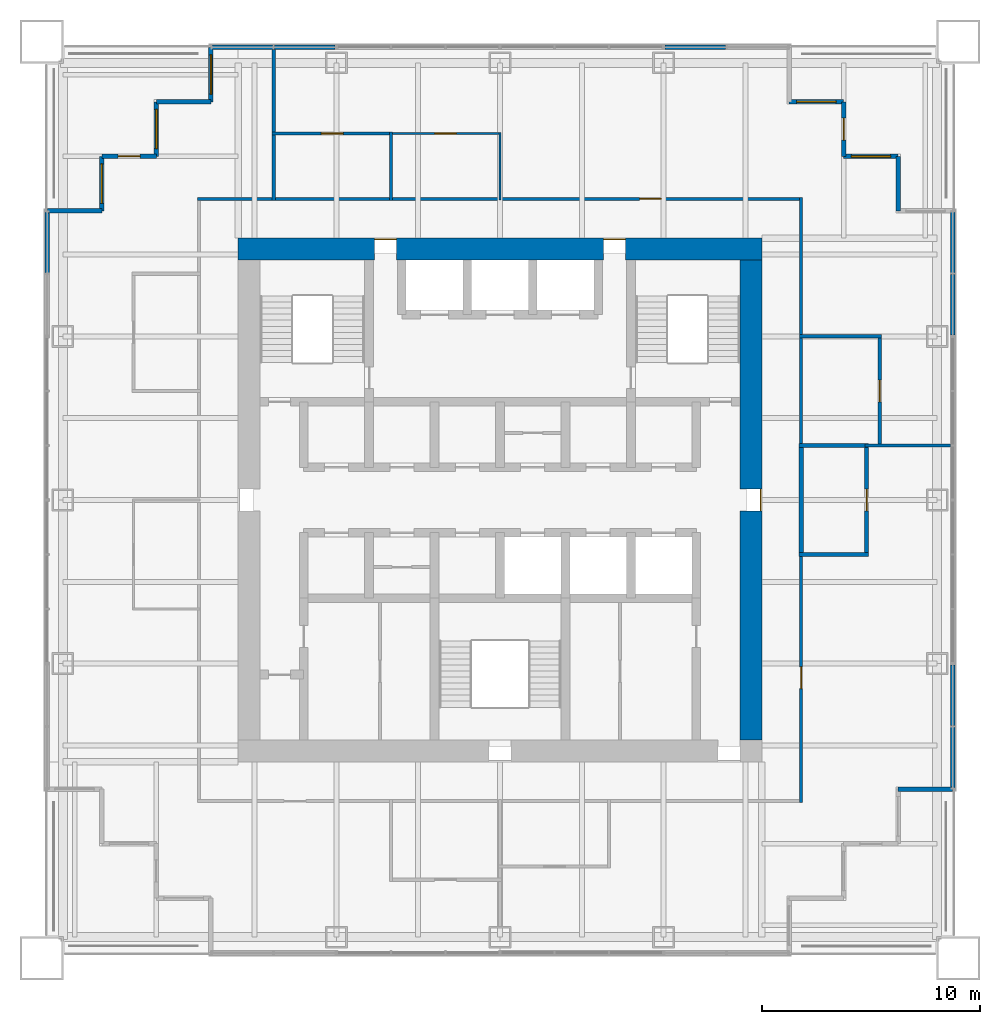
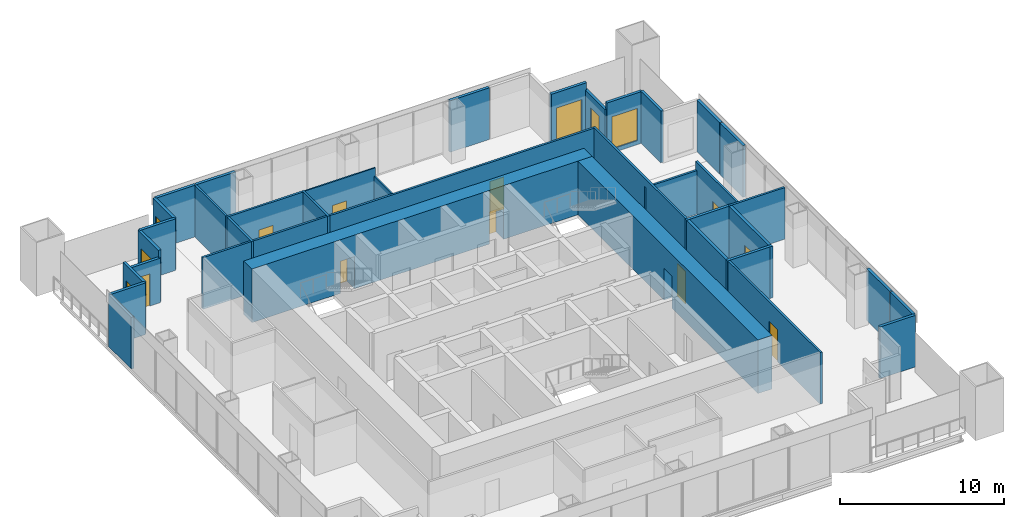
# One storey, part 11 of 14: 36 walls, 11 doors, 5 windows, 16 openings.
"""IFC4 building model written with IfcOpenShell, lengths in metres."""

from ifc_helpers import new_model, si_unit, direction, frame, frame_2d, origin, place, context, subcontext, project, spatial, rectangle, extrude, material, layer, layer_set, type_object, element, fill, save


model = new_model("IFC4")

# Units and contexts
model_context = context("Model", 3, precision=1e-05, world=origin(), true_north=direction((0.0, 1.0)))
body_context = subcontext(model_context, "Body", "Model", "MODEL_VIEW")
ifc_project = project(units=[si_unit("LENGTHUNIT", "METRE"), si_unit("AREAUNIT", "SQUARE_METRE"), si_unit("VOLUMEUNIT", "CUBIC_METRE"), si_unit("PLANEANGLEUNIT", "RADIAN"), si_unit("MASSUNIT", "GRAM", prefix="KILO")], contexts=[model_context])

# Site, building, storey
site_placement = place(None, origin())
site = spatial("IfcSite", under=ifc_project, at=site_placement, CompositionType="ELEMENT")
building_placement = place(site_placement, origin())
building = spatial("IfcBuilding", under=site, at=building_placement, Name="Tarangal Relay Tower", CompositionType="ELEMENT")
storey_placement = place(building_placement, frame((0.0, 0.0, 267.89990234375)))
storey = spatial("IfcBuildingStorey", under=building, at=storey_placement, Name="L58", CompositionType="ELEMENT", Elevation=267.89990234375)

# Walls
ifc_material_1 = material(Name="Two layers gypsum board each side on twin steel studs, mineral wool", Category="steel")
ifc_layer_1 = layer(ifc_material_1, 0.199951171875)
ifc_layer_set_1 = layer_set([ifc_layer_1], Name="Acoustic partition 200")
wall_type_1 = type_object("IfcWallType", Name="Acoustic partition 200", PredefinedType="PARTITIONING", material=ifc_layer_set_1)
for number, where, z_axis, x_axis, name in (
    (1, (13.699951171875, -2.5, 0.0), (0.0, 0.0, 1.0), (1.0, 0.0, 0.0), "Partition PT2 L58"),
    (2, (13.699951171875, 2.5, 0.0), (0.0, 0.0, 1.0), (1.0, 0.0, 0.0), "Partition PT2 L58"),
):
    element("IfcWall", number, at=place(storey_placement, frame(where, z_axis=z_axis, x_axis=x_axis)), inside=storey, type_object=wall_type_1, Name=name, PredefinedType="PARTITIONING", context=body_context, shape_type="SweptSolid", body=[
        extrude(rectangle(XDim=3.199951171875, YDim=0.199951171875, at=frame_2d((1.60009765625, 0.0))), origin(), (0.0, 0.0, 1.0), 3.85009765625),
    ])
wall_1_placement = place(storey_placement, frame((13.800048828125, -2.60009765625, 0.0), z_axis=(0.0, 0.0, 1.0), x_axis=(0.0, 1.0, 0.0)))
element("IfcWall", 3, at=wall_1_placement, inside=storey, type_object=wall_type_1, Name="Partition PT2 L58", PredefinedType="PARTITIONING", context=body_context, shape_type="SweptSolid", body=[
    extrude(rectangle(XDim=5.2001953125, YDim=0.199951171875, at=frame_2d((2.60009765625, 0.0))), origin(), (0.0, 0.0, 1.0), 3.85009765625),
])

# Wall, opening, door
wall_2_placement = place(storey_placement, frame((16.800048828125, -2.60009765625, 0.0), z_axis=(0.0, 0.0, 1.0), x_axis=(0.0, 1.0, 0.0)))
wall_2 = element("IfcWall", 4, at=wall_2_placement, inside=storey, type_object=wall_type_1, Name="Partition PT2 L58", PredefinedType="PARTITIONING", context=body_context, shape_type="SweptSolid", body=[
    extrude(rectangle(XDim=5.2001953125, YDim=0.199951171875, at=frame_2d((2.60009765625, 0.0))), origin(), (0.0, 0.0, 1.0), 3.85009765625),
])
opening_1_placement = place(wall_2_placement, frame((2.10009765625, 0.0, 0.0)))
opening_1 = element("IfcOpeningElement", 5, at=opening_1_placement, cuts=wall_2, Name="Opening D2", PredefinedType="OPENING", context=body_context, shape_type="SweptSolid", body=[
    extrude(rectangle(XDim=1.0, YDim=2.10009765625, at=frame_2d((0.5, 1.050048828125))), frame((0.0, 0.10986328125, 0.0), z_axis=(0.0, -1.0, 0.0), x_axis=(1.0, 0.0, 0.0)), (0.0, 0.0, 1.0), 0.219970703125),
])
ifc_material_2 = material(Name="Hardwood door", Category="wood")
door_type_1 = type_object("IfcDoorType", Name="Door 1000 x 2100", OperationType="SINGLE_SWING_LEFT", PredefinedType="DOOR", material=ifc_material_2)
door_1_placement = place(opening_1_placement, origin())
door_1 = element("IfcDoor", 6, at=door_1_placement, inside=storey, type_object=door_type_1, Name="Door D2 to meeting room L58-05", OperationType="SINGLE_SWING_LEFT", OverallHeight=2.10009765625, OverallWidth=1.0, PredefinedType="DOOR", context=body_context, shape_type="SweptSolid", body=[
    extrude(rectangle(XDim=1.0, YDim=2.10009765625, at=frame_2d((0.5, 1.050048828125))), frame((0.0, 0.02490234375, 0.0), z_axis=(0.0, -1.0, 0.0), x_axis=(1.0, 0.0, 0.0)), (0.0, 0.0, 1.0), 0.050048828125),
])
fill(opening_1, door_1)

# Wall, openings, doors
ifc_material_3 = material(Name="Concrete fc' 60 MPa", Category="concrete")
ifc_layer_2 = layer(ifc_material_3, 1.0)
ifc_layer_set_2 = layer_set([ifc_layer_2], Name="Core wall 1000")
wall_type_2 = type_object("IfcWallType", Name="Core wall 1000", PredefinedType="SHEAR", material=ifc_layer_set_2)
wall_3_placement = place(storey_placement, frame((-12.0, 11.5, 0.0), z_axis=(0.0, 0.0, 1.0), x_axis=(1.0, 0.0, 0.0)))
wall_3 = element("IfcWall", 7, at=wall_3_placement, inside=storey, type_object=wall_type_2, Name="Core wall N L58", PredefinedType="SHEAR", context=body_context, shape_type="SweptSolid", body=[
    extrude(rectangle(XDim=24.0, YDim=1.0, at=frame_2d((12.0, 0.0))), origin(), (0.0, 0.0, 1.0), 4.0),
])
opening_2_placement = place(wall_3_placement, frame((6.25, 0.0, 0.0)))
opening_2 = element("IfcOpeningElement", 8, at=opening_2_placement, cuts=wall_3, Name="Opening FD3", PredefinedType="OPENING", context=body_context, shape_type="SweptSolid", body=[
    extrude(rectangle(XDim=1.0, YDim=2.39990234375, at=frame_2d((0.5, 1.199951171875))), frame((0.0, 0.510009765625, 0.0), z_axis=(0.0, -1.0, 0.0), x_axis=(1.0, 0.0, 0.0)), (0.0, 0.0, 1.0), 1.02001953125),
])
opening_3_placement = place(wall_3_placement, frame((16.75, 0.0, 0.0)))
opening_3 = element("IfcOpeningElement", 9, at=opening_3_placement, cuts=wall_3, Name="Opening FD3", PredefinedType="OPENING", context=body_context, shape_type="SweptSolid", body=[
    extrude(rectangle(XDim=1.0, YDim=2.39990234375, at=frame_2d((0.5, 1.199951171875))), frame((0.0, 0.510009765625, 0.0), z_axis=(0.0, -1.0, 0.0), x_axis=(1.0, 0.0, 0.0)), (0.0, 0.0, 1.0), 1.02001953125),
])
ifc_material_4 = material(Name="Steel door with hardwood frame", Category="steel")
door_type_2 = type_object("IfcDoorType", Name="Fire door 1000 x 2400 core entry", OperationType="SINGLE_SWING_RIGHT", PredefinedType="DOOR", material=ifc_material_4)
door_2_placement = place(opening_2_placement, origin())
door_2 = element("IfcDoor", 10, at=door_2_placement, inside=storey, type_object=door_type_2, Name="Core entry door north west L58", OperationType="SINGLE_SWING_RIGHT", OverallHeight=2.39990234375, OverallWidth=1.0, PredefinedType="DOOR", context=body_context, shape_type="SweptSolid", body=[
    extrude(rectangle(XDim=1.0, YDim=2.39990234375, at=frame_2d((0.5, 1.199951171875))), frame((0.0, 0.48486328125, 0.0), z_axis=(0.0, -1.0, 0.0), x_axis=(1.0, 0.0, 0.0)), (0.0, 0.0, 1.0), 0.050048828125),
])
fill(opening_2, door_2)
door_3_placement = place(opening_3_placement, origin())
door_3 = element("IfcDoor", 11, at=door_3_placement, inside=storey, type_object=door_type_2, Name="Core entry door north east L58", OperationType="SINGLE_SWING_RIGHT", OverallHeight=2.39990234375, OverallWidth=1.0, PredefinedType="DOOR", context=body_context, shape_type="SweptSolid", body=[
    extrude(rectangle(XDim=1.0, YDim=2.39990234375, at=frame_2d((0.5, 1.199951171875))), frame((0.0, 0.48486328125, 0.0), z_axis=(0.0, -1.0, 0.0), x_axis=(1.0, 0.0, 0.0)), (0.0, 0.0, 1.0), 0.050048828125),
])
fill(opening_3, door_3)

# Wall, opening, door
wall_4_placement = place(storey_placement, frame((11.5, 11.0, 0.0), z_axis=(0.0, 0.0, 1.0), x_axis=(0.0, -1.0, 0.0)))
wall_4 = element("IfcWall", 12, at=wall_4_placement, inside=storey, type_object=wall_type_2, Name="Core wall E L58", PredefinedType="SHEAR", context=body_context, shape_type="SweptSolid", body=[
    extrude(rectangle(XDim=22.0, YDim=1.0, at=frame_2d((11.0, 0.0))), origin(), (0.0, 0.0, 1.0), 4.0),
])
opening_4_placement = place(wall_4_placement, frame((10.5, 0.0, 0.0)))
opening_4 = element("IfcOpeningElement", 13, at=opening_4_placement, cuts=wall_4, Name="Opening FD3", PredefinedType="OPENING", context=body_context, shape_type="SweptSolid", body=[
    extrude(rectangle(XDim=1.0, YDim=2.39990234375, at=frame_2d((0.5, 1.199951171875))), frame((0.0, 0.510009765625, 0.0), z_axis=(0.0, -1.0, 0.0), x_axis=(1.0, 0.0, 0.0)), (0.0, 0.0, 1.0), 1.02001953125),
])
door_4_placement = place(opening_4_placement, origin())
door_4 = element("IfcDoor", 14, at=door_4_placement, inside=storey, type_object=door_type_2, Name="Core entry door east L58", OperationType="SINGLE_SWING_RIGHT", OverallHeight=2.39990234375, OverallWidth=1.0, PredefinedType="DOOR", context=body_context, shape_type="SweptSolid", body=[
    extrude(rectangle(XDim=1.0, YDim=2.39990234375, at=frame_2d((0.5, 1.199951171875))), frame((0.0, 0.48486328125, 0.0), z_axis=(0.0, -1.0, 0.0), x_axis=(1.0, 0.0, 0.0)), (0.0, 0.0, 1.0), 0.050048828125),
])
fill(opening_4, door_4)

# Wall, opening, window
ifc_material_5 = material(Name="Black metal clad insulated wall", Category="steel")
ifc_layer_3 = layer(ifc_material_5, 0.199951171875)
ifc_layer_set_3 = layer_set([ifc_layer_3], Name="Corner wall metal clad 200")
wall_type_3 = type_object("IfcWallType", Name="Corner wall metal clad 200", PredefinedType="SOLIDWALL", material=ifc_layer_set_3)
wall_5_placement = place(storey_placement, frame((13.25, 18.25, 0.0), z_axis=(0.0, 0.0, 1.0), x_axis=(1.0, 0.0, 0.0)))
wall_5 = element("IfcWall", 15, at=wall_5_placement, inside=storey, type_object=wall_type_3, Name="Facade wall N facade L58", PredefinedType="SOLIDWALL", context=body_context, shape_type="SweptSolid", body=[
    extrude(rectangle(XDim=2.5, YDim=0.199951171875, at=frame_2d((1.25, 0.0))), origin(), (0.0, 0.0, 1.0), 3.85009765625),
])
opening_5_placement = place(wall_5_placement, frame((0.35009765625, 0.0, 0.300048828125)))
opening_5 = element("IfcOpeningElement", 16, at=opening_5_placement, cuts=wall_5, Name="Opening WN2", PredefinedType="OPENING", context=body_context, shape_type="SweptSolid", body=[
    extrude(rectangle(XDim=1.800048828125, YDim=2.39990234375, at=frame_2d((0.89990234375, 1.199951171875))), frame((0.0, 0.10986328125, 0.0), z_axis=(0.0, -1.0, 0.0), x_axis=(1.0, 0.0, 0.0)), (0.0, 0.0, 1.0), 0.219970703125),
])
ifc_material_6 = material(Name="Dark tinted double glazing in black aluminium frame", Category="aluminium")
window_type = type_object("IfcWindowType", Name="Corner window 1800 x 2400", PartitioningType="SINGLE_PANEL", PredefinedType="WINDOW", material=ifc_material_6)
window_1_placement = place(opening_5_placement, origin())
window_1 = element("IfcWindow", 17, at=window_1_placement, inside=storey, type_object=window_type, Name="Corner window WN2 N facade L58", OverallHeight=2.39990234375, OverallWidth=1.800048828125, PartitioningType="SINGLE_PANEL", PredefinedType="WINDOW", context=body_context, shape_type="SweptSolid", body=[
    extrude(rectangle(XDim=1.800048828125, YDim=2.39990234375, at=frame_2d((0.89990234375, 1.199951171875))), frame((0.0, 0.030029296875, 0.0), z_axis=(0.0, -1.0, 0.0), x_axis=(1.0, 0.0, 0.0)), (0.0, 0.0, 1.0), 0.06005859375),
])
fill(opening_5, window_1)

# Wall, opening, door
wall_6_placement = place(storey_placement, frame((15.75, 18.25, 0.0), z_axis=(0.0, 0.0, 1.0), x_axis=(0.0, -1.0, 0.0)))
wall_6 = element("IfcWall", 18, at=wall_6_placement, inside=storey, type_object=wall_type_3, Name="Facade wall N facade L58", PredefinedType="SOLIDWALL", context=body_context, shape_type="SweptSolid", body=[
    extrude(rectangle(XDim=2.5, YDim=0.199951171875, at=frame_2d((1.25, 0.0))), origin(), (0.0, 0.0, 1.0), 3.316650390625),
])
opening_6_placement = place(wall_6_placement, frame((0.75, 0.0, 0.0)))
opening_6 = element("IfcOpeningElement", 19, at=opening_6_placement, cuts=wall_6, Name="Opening TD1", PredefinedType="OPENING", context=body_context, shape_type="SweptSolid", body=[
    extrude(rectangle(XDim=1.0, YDim=2.39990234375, at=frame_2d((0.5, 1.199951171875))), frame((0.0, 0.10986328125, 0.0), z_axis=(0.0, -1.0, 0.0), x_axis=(1.0, 0.0, 0.0)), (0.0, 0.0, 1.0), 0.219970703125),
])
ifc_material_7 = material(Name="Aluminium glazed door", Category="aluminium")
door_type_3 = type_object("IfcDoorType", Name="Terrace door 1000 x 2400", OperationType="SINGLE_SWING_RIGHT", PredefinedType="DOOR", material=ifc_material_7)
door_5_placement = place(opening_6_placement, origin())
door_5 = element("IfcDoor", 20, at=door_5_placement, inside=storey, type_object=door_type_3, Name="Terrace door TD1 NE L58", OperationType="SINGLE_SWING_RIGHT", OverallHeight=2.39990234375, OverallWidth=1.0, PredefinedType="DOOR", context=body_context, shape_type="SweptSolid", body=[
    extrude(rectangle(XDim=1.0, YDim=2.39990234375, at=frame_2d((0.5, 1.199951171875))), frame((0.0, 0.02490234375, 0.0), z_axis=(0.0, -1.0, 0.0), x_axis=(1.0, 0.0, 0.0)), (0.0, 0.0, 1.0), 0.050048828125),
])
fill(opening_6, door_5)

# Wall, opening, window
wall_7_placement = place(storey_placement, frame((15.75, 15.75, 0.0), z_axis=(0.0, 0.0, 1.0), x_axis=(1.0, 0.0, 0.0)))
wall_7 = element("IfcWall", 21, at=wall_7_placement, inside=storey, type_object=wall_type_3, Name="Facade wall N facade L58", PredefinedType="SOLIDWALL", context=body_context, shape_type="SweptSolid", body=[
    extrude(rectangle(XDim=2.5, YDim=0.199951171875, at=frame_2d((1.25, 0.0))), origin(), (0.0, 0.0, 1.0), 3.85009765625),
])
opening_7_placement = place(wall_7_placement, frame((0.35009765625, 0.0, 0.300048828125)))
opening_7 = element("IfcOpeningElement", 22, at=opening_7_placement, cuts=wall_7, Name="Opening WN2", PredefinedType="OPENING", context=body_context, shape_type="SweptSolid", body=[
    extrude(rectangle(XDim=1.800048828125, YDim=2.39990234375, at=frame_2d((0.89990234375, 1.199951171875))), frame((0.0, 0.10986328125, 0.0), z_axis=(0.0, -1.0, 0.0), x_axis=(1.0, 0.0, 0.0)), (0.0, 0.0, 1.0), 0.219970703125),
])
window_2_placement = place(opening_7_placement, origin())
window_2 = element("IfcWindow", 23, at=window_2_placement, inside=storey, type_object=window_type, Name="Corner window WN2 N facade L58", OverallHeight=2.39990234375, OverallWidth=1.800048828125, PartitioningType="SINGLE_PANEL", PredefinedType="WINDOW", context=body_context, shape_type="SweptSolid", body=[
    extrude(rectangle(XDim=1.800048828125, YDim=2.39990234375, at=frame_2d((0.89990234375, 1.199951171875))), frame((0.0, 0.030029296875, 0.0), z_axis=(0.0, -1.0, 0.0), x_axis=(1.0, 0.0, 0.0)), (0.0, 0.0, 1.0), 0.06005859375),
])
fill(opening_7, window_2)

# Walls
for number, where, z_axis, x_axis, name in (
    (24, (18.25, 15.75, 0.0), (0.0, 0.0, 1.0), (0.0, -1.0, 0.0), "Facade wall N facade L58"),
    (25, (20.75, -13.25, 0.0), (0.0, 0.0, 1.0), (-1.0, 0.0, 0.0), "Facade wall E facade L58"),
    (26, (-20.75, 13.25, 0.0), (0.0, 0.0, 1.0), (1.0, 0.0, 0.0), "Facade wall W facade L58"),
):
    element("IfcWall", number, at=place(storey_placement, frame(where, z_axis=z_axis, x_axis=x_axis)), inside=storey, type_object=wall_type_3, Name=name, PredefinedType="SOLIDWALL", context=body_context, shape_type="SweptSolid", body=[
        extrude(rectangle(XDim=2.5, YDim=0.199951171875, at=frame_2d((1.25, 0.0))), origin(), (0.0, 0.0, 1.0), 3.85009765625),
    ])

# Wall, opening, window
wall_8_placement = place(storey_placement, frame((-18.25, 13.25, 0.0), z_axis=(0.0, 0.0, 1.0), x_axis=(0.0, 1.0, 0.0)))
wall_8 = element("IfcWall", 27, at=wall_8_placement, inside=storey, type_object=wall_type_3, Name="Facade wall W facade L58", PredefinedType="SOLIDWALL", context=body_context, shape_type="SweptSolid", body=[
    extrude(rectangle(XDim=2.5, YDim=0.199951171875, at=frame_2d((1.25, 0.0))), origin(), (0.0, 0.0, 1.0), 3.85009765625),
])
opening_8_placement = place(wall_8_placement, frame((0.35009765625, 0.0, 0.300048828125)))
opening_8 = element("IfcOpeningElement", 28, at=opening_8_placement, cuts=wall_8, Name="Opening WN2", PredefinedType="OPENING", context=body_context, shape_type="SweptSolid", body=[
    extrude(rectangle(XDim=1.800048828125, YDim=2.39990234375, at=frame_2d((0.89990234375, 1.199951171875))), frame((0.0, 0.10986328125, 0.0), z_axis=(0.0, -1.0, 0.0), x_axis=(1.0, 0.0, 0.0)), (0.0, 0.0, 1.0), 0.219970703125),
])
window_3_placement = place(opening_8_placement, origin())
window_3 = element("IfcWindow", 29, at=window_3_placement, inside=storey, type_object=window_type, Name="Corner window WN2 W facade L58", OverallHeight=2.39990234375, OverallWidth=1.800048828125, PartitioningType="SINGLE_PANEL", PredefinedType="WINDOW", context=body_context, shape_type="SweptSolid", body=[
    extrude(rectangle(XDim=1.800048828125, YDim=2.39990234375, at=frame_2d((0.89990234375, 1.199951171875))), frame((0.0, 0.030029296875, 0.0), z_axis=(0.0, -1.0, 0.0), x_axis=(1.0, 0.0, 0.0)), (0.0, 0.0, 1.0), 0.06005859375),
])
fill(opening_8, window_3)

# Wall, opening, door
wall_9_placement = place(storey_placement, frame((-18.25, 15.75, 0.0), z_axis=(0.0, 0.0, 1.0), x_axis=(1.0, 0.0, 0.0)))
wall_9 = element("IfcWall", 30, at=wall_9_placement, inside=storey, type_object=wall_type_3, Name="Facade wall W facade L58", PredefinedType="SOLIDWALL", context=body_context, shape_type="SweptSolid", body=[
    extrude(rectangle(XDim=2.5, YDim=0.199951171875, at=frame_2d((1.25, 0.0))), origin(), (0.0, 0.0, 1.0), 3.316650390625),
])
opening_9_placement = place(wall_9_placement, frame((0.75, 0.0, 0.0)))
opening_9 = element("IfcOpeningElement", 31, at=opening_9_placement, cuts=wall_9, Name="Opening TD1", PredefinedType="OPENING", context=body_context, shape_type="SweptSolid", body=[
    extrude(rectangle(XDim=1.0, YDim=2.39990234375, at=frame_2d((0.5, 1.199951171875))), frame((0.0, 0.10986328125, 0.0), z_axis=(0.0, -1.0, 0.0), x_axis=(1.0, 0.0, 0.0)), (0.0, 0.0, 1.0), 0.219970703125),
])
door_6_placement = place(opening_9_placement, origin())
door_6 = element("IfcDoor", 32, at=door_6_placement, inside=storey, type_object=door_type_3, Name="Terrace door TD1 NW L58", OperationType="SINGLE_SWING_RIGHT", OverallHeight=2.39990234375, OverallWidth=1.0, PredefinedType="DOOR", context=body_context, shape_type="SweptSolid", body=[
    extrude(rectangle(XDim=1.0, YDim=2.39990234375, at=frame_2d((0.5, 1.199951171875))), frame((0.0, 0.02490234375, 0.0), z_axis=(0.0, -1.0, 0.0), x_axis=(1.0, 0.0, 0.0)), (0.0, 0.0, 1.0), 0.050048828125),
])
fill(opening_9, door_6)

# Wall, opening, window
wall_10_placement = place(storey_placement, frame((-15.75, 15.75, 0.0), z_axis=(0.0, 0.0, 1.0), x_axis=(0.0, 1.0, 0.0)))
wall_10 = element("IfcWall", 33, at=wall_10_placement, inside=storey, type_object=wall_type_3, Name="Facade wall W facade L58", PredefinedType="SOLIDWALL", context=body_context, shape_type="SweptSolid", body=[
    extrude(rectangle(XDim=2.5, YDim=0.199951171875, at=frame_2d((1.25, 0.0))), origin(), (0.0, 0.0, 1.0), 3.85009765625),
])
opening_10_placement = place(wall_10_placement, frame((0.35009765625, 0.0, 0.300048828125)))
opening_10 = element("IfcOpeningElement", 34, at=opening_10_placement, cuts=wall_10, Name="Opening WN2", PredefinedType="OPENING", context=body_context, shape_type="SweptSolid", body=[
    extrude(rectangle(XDim=1.800048828125, YDim=2.39990234375, at=frame_2d((0.89990234375, 1.199951171875))), frame((0.0, 0.10986328125, 0.0), z_axis=(0.0, -1.0, 0.0), x_axis=(1.0, 0.0, 0.0)), (0.0, 0.0, 1.0), 0.219970703125),
])
window_4_placement = place(opening_10_placement, origin())
window_4 = element("IfcWindow", 35, at=window_4_placement, inside=storey, type_object=window_type, Name="Corner window WN2 W facade L58", OverallHeight=2.39990234375, OverallWidth=1.800048828125, PartitioningType="SINGLE_PANEL", PredefinedType="WINDOW", context=body_context, shape_type="SweptSolid", body=[
    extrude(rectangle(XDim=1.800048828125, YDim=2.39990234375, at=frame_2d((0.89990234375, 1.199951171875))), frame((0.0, 0.030029296875, 0.0), z_axis=(0.0, -1.0, 0.0), x_axis=(1.0, 0.0, 0.0)), (0.0, 0.0, 1.0), 0.06005859375),
])
fill(opening_10, window_4)

# Wall
wall_11_placement = place(storey_placement, frame((-15.75, 18.25, 0.0), z_axis=(0.0, 0.0, 1.0), x_axis=(1.0, 0.0, 0.0)))
element("IfcWall", 36, at=wall_11_placement, inside=storey, type_object=wall_type_3, Name="Facade wall W facade L58", PredefinedType="SOLIDWALL", context=body_context, shape_type="SweptSolid", body=[
    extrude(rectangle(XDim=2.5, YDim=0.199951171875, at=frame_2d((1.25, 0.0))), origin(), (0.0, 0.0, 1.0), 3.85009765625),
])

# Wall, opening, window
wall_12_placement = place(storey_placement, frame((-13.25, 18.25, 0.0), z_axis=(0.0, 0.0, 1.0), x_axis=(0.0, 1.0, 0.0)))
wall_12 = element("IfcWall", 37, at=wall_12_placement, inside=storey, type_object=wall_type_3, Name="Facade wall W facade L58", PredefinedType="SOLIDWALL", context=body_context, shape_type="SweptSolid", body=[
    extrude(rectangle(XDim=2.5, YDim=0.199951171875, at=frame_2d((1.25, 0.0))), origin(), (0.0, 0.0, 1.0), 3.85009765625),
])
opening_11_placement = place(wall_12_placement, frame((0.35009765625, 0.0, 0.300048828125)))
opening_11 = element("IfcOpeningElement", 38, at=opening_11_placement, cuts=wall_12, Name="Opening WN2", PredefinedType="OPENING", context=body_context, shape_type="SweptSolid", body=[
    extrude(rectangle(XDim=1.800048828125, YDim=2.39990234375, at=frame_2d((0.89990234375, 1.199951171875))), frame((0.0, 0.10986328125, 0.0), z_axis=(0.0, -1.0, 0.0), x_axis=(1.0, 0.0, 0.0)), (0.0, 0.0, 1.0), 0.219970703125),
])
window_5_placement = place(opening_11_placement, origin())
window_5 = element("IfcWindow", 39, at=window_5_placement, inside=storey, type_object=window_type, Name="Corner window WN2 W facade L58", OverallHeight=2.39990234375, OverallWidth=1.800048828125, PartitioningType="SINGLE_PANEL", PredefinedType="WINDOW", context=body_context, shape_type="SweptSolid", body=[
    extrude(rectangle(XDim=1.800048828125, YDim=2.39990234375, at=frame_2d((0.89990234375, 1.199951171875))), frame((0.0, 0.030029296875, 0.0), z_axis=(0.0, -1.0, 0.0), x_axis=(1.0, 0.0, 0.0)), (0.0, 0.0, 1.0), 0.06005859375),
])
fill(opening_11, window_5)

# Walls
ifc_layer_4 = layer(ifc_material_5, 0.199951171875)
ifc_layer_set_4 = layer_set([ifc_layer_4], Name="Facade infill wall metal clad 200")
wall_type_4 = type_object("IfcWallType", Name="Facade infill wall metal clad 200", PredefinedType="SOLIDWALL", material=ifc_layer_set_4)
for number, where, z_axis, x_axis, name in (
    (40, (-13.18994140625, 20.75, 0.0), (0.0, 0.0, 1.0), (1.0, 0.0, 0.0), "Facade infill wall N facade L58 1.1"),
    (41, (-10.344970703125, 20.75, 0.0), (0.0, 0.0, 1.0), (1.0, 0.0, 0.0), "Facade infill wall N facade L58 2.1"),
    (42, (7.56005859375, 20.75, 0.0), (0.0, 0.0, 1.0), (1.0, 0.0, 0.0), "Facade infill wall N facade L58 1.1"),
    (43, (20.75, 13.18994140625, 0.0), (0.0, 0.0, 1.0), (0.0, -1.0, 0.0), "Facade infill wall E facade L58 1.1"),
    (44, (20.75, 10.344970703125, 0.0), (0.0, 0.0, 1.0), (0.0, -1.0, 0.0), "Facade infill wall E facade L58 2.1"),
    (45, (20.75, -7.56005859375, 0.0), (0.0, 0.0, 1.0), (0.0, -1.0, 0.0), "Facade infill wall E facade L58 1.1"),
    (46, (20.75, -10.405029296875, 0.0), (0.0, 0.0, 1.0), (0.0, -1.0, 0.0), "Facade infill wall E facade L58 2.1"),
    (47, (-20.75, 10.405029296875, 0.0), (0.0, 0.0, 1.0), (0.0, 1.0, 0.0), "Facade infill wall W facade L58 2.1"),
):
    element("IfcWall", number, at=place(storey_placement, frame(where, z_axis=z_axis, x_axis=x_axis)), inside=storey, type_object=wall_type_4, Name=name, PredefinedType="SOLIDWALL", context=body_context, shape_type="SweptSolid", body=[
        extrude(rectangle(XDim=2.784912109375, YDim=0.199951171875, at=frame_2d((1.392578125, 0.0))), origin(), (0.0, 0.0, 1.0), 3.85009765625),
    ])

# Wall, opening, door
ifc_material_8 = material(Name="Double glazed aluminium framed partition", Category="aluminium")
ifc_layer_5 = layer(ifc_material_8, 0.10009765625)
ifc_layer_set_5 = layer_set([ifc_layer_5], Name="Glazed partition 100")
wall_type_5 = type_object("IfcWallType", Name="Glazed partition 100", PredefinedType="PARTITIONING", material=ifc_layer_set_5)
wall_13_placement = place(storey_placement, frame((-5.050048828125, 16.800048828125, 0.0), z_axis=(0.0, 0.0, 1.0), x_axis=(1.0, 0.0, 0.0)))
wall_13 = element("IfcWall", 48, at=wall_13_placement, inside=storey, type_object=wall_type_5, Name="Partition PT3 L58", PredefinedType="PARTITIONING", context=body_context, shape_type="SweptSolid", body=[
    extrude(rectangle(XDim=5.10009765625, YDim=0.10009765625, at=frame_2d((2.550048828125, 0.0))), origin(), (0.0, 0.0, 1.0), 3.85009765625),
])
opening_12_placement = place(wall_13_placement, frame((2.050048828125, 0.0, 0.0)))
opening_12 = element("IfcOpeningElement", 49, at=opening_12_placement, cuts=wall_13, Name="Opening D3", PredefinedType="OPENING", context=body_context, shape_type="SweptSolid", body=[
    extrude(rectangle(XDim=1.0, YDim=2.10009765625, at=frame_2d((0.5, 1.050048828125))), frame((0.0, 0.06005859375, 0.0), z_axis=(0.0, -1.0, 0.0), x_axis=(1.0, 0.0, 0.0)), (0.0, 0.0, 1.0), 0.1201171875),
])
ifc_material_9 = material(Name="Frameless glass door", Category="glass")
door_type_4 = type_object("IfcDoorType", Name="Glazed door 1000 x 2100", OperationType="SINGLE_SWING_LEFT", PredefinedType="DOOR", material=ifc_material_9)
door_7_placement = place(opening_12_placement, origin())
door_7 = element("IfcDoor", 50, at=door_7_placement, inside=storey, type_object=door_type_4, Name="Door D3 to meeting room L58-03", OperationType="SINGLE_SWING_LEFT", OverallHeight=2.10009765625, OverallWidth=1.0, PredefinedType="DOOR", context=body_context, shape_type="SweptSolid", body=[
    extrude(rectangle(XDim=1.0, YDim=2.10009765625, at=frame_2d((0.5, 1.050048828125))), frame((0.0, 0.02490234375, 0.0), z_axis=(0.0, -1.0, 0.0), x_axis=(1.0, 0.0, 0.0)), (0.0, 0.0, 1.0), 0.050048828125),
])
fill(opening_12, door_7)

# Walls
wall_14_placement = place(storey_placement, frame((0.0, 13.75, 0.0), z_axis=(0.0, 0.0, 1.0), x_axis=(0.0, 1.0, 0.0)))
element("IfcWall", 51, at=wall_14_placement, inside=storey, type_object=wall_type_5, Name="Partition PT3 L58", PredefinedType="PARTITIONING", context=body_context, shape_type="SweptSolid", body=[
    extrude(rectangle(XDim=3.10009765625, YDim=0.10009765625, at=frame_2d((1.550048828125, 0.0))), origin(), (0.0, 0.0, 1.0), 3.2431640625),
])
ifc_material_10 = material(Name="Gypsum board on steel studs", Category="steel")
ifc_layer_6 = layer(ifc_material_10, 0.14990234375)
ifc_layer_set_6 = layer_set([ifc_layer_6], Name="Partition 150")
wall_type_6 = type_object("IfcWallType", Name="Partition 150", PredefinedType="PARTITIONING", material=ifc_layer_set_6)
wall_15_placement = place(storey_placement, frame((16.72509765625, 2.5, 0.0), z_axis=(0.0, 0.0, 1.0), x_axis=(1.0, 0.0, 0.0)))
element("IfcWall", 52, at=wall_15_placement, inside=storey, type_object=wall_type_6, Name="Partition PT1 L58", PredefinedType="PARTITIONING", context=body_context, shape_type="SweptSolid", body=[
    extrude(rectangle(XDim=3.9248046875, YDim=0.14990234375, at=frame_2d((1.96240234375, 0.0))), origin(), (0.0, 0.0, 1.0), 3.85009765625),
])
wall_16_placement = place(storey_placement, frame((13.72509765625, 7.5, 0.0), z_axis=(0.0, 0.0, 1.0), x_axis=(1.0, 0.0, 0.0)))
element("IfcWall", 53, at=wall_16_placement, inside=storey, type_object=wall_type_6, Name="Partition PT1 L58", PredefinedType="PARTITIONING", context=body_context, shape_type="SweptSolid", body=[
    extrude(rectangle(XDim=3.75, YDim=0.14990234375, at=frame_2d((1.875, 0.0))), origin(), (0.0, 0.0, 1.0), 3.2431640625),
])

# Wall, opening, door
wall_17_placement = place(storey_placement, frame((-13.875, 13.800048828125, 0.0), z_axis=(0.0, 0.0, 1.0), x_axis=(1.0, 0.0, 0.0)))
wall_17 = element("IfcWall", 54, at=wall_17_placement, inside=storey, type_object=wall_type_6, Name="Partition PT1 L58", PredefinedType="PARTITIONING", context=body_context, shape_type="SweptSolid", body=[
    extrude(rectangle(XDim=27.75, YDim=0.14990234375, at=frame_2d((13.875, 0.0))), origin(), (0.0, 0.0, 1.0), 3.85009765625),
])
opening_13_placement = place(wall_17_placement, frame((20.27490234375, 0.0, 0.0)))
opening_13 = element("IfcOpeningElement", 55, at=opening_13_placement, cuts=wall_17, Name="Opening SD1", PredefinedType="OPENING", context=body_context, shape_type="SweptSolid", body=[
    extrude(rectangle(XDim=1.0, YDim=2.39990234375, at=frame_2d((0.5, 1.199951171875))), frame((0.0, 0.0849609375, 0.0), z_axis=(0.0, -1.0, 0.0), x_axis=(1.0, 0.0, 0.0)), (0.0, 0.0, 1.0), 0.169921875),
])
door_type_5 = type_object("IfcDoorType", Name="Suite entrance door 1000 x 2400", OperationType="SINGLE_SWING_RIGHT", PredefinedType="DOOR", material=ifc_material_4)
door_8_placement = place(opening_13_placement, origin())
door_8 = element("IfcDoor", 56, at=door_8_placement, inside=storey, type_object=door_type_5, Name="Door SD1 to open plan office L58-10", OperationType="SINGLE_SWING_RIGHT", OverallHeight=2.39990234375, OverallWidth=1.0, PredefinedType="DOOR", context=body_context, shape_type="SweptSolid", body=[
    extrude(rectangle(XDim=1.0, YDim=2.39990234375, at=frame_2d((0.5, 1.199951171875))), frame((0.0, 0.02490234375, 0.0), z_axis=(0.0, -1.0, 0.0), x_axis=(1.0, 0.0, 0.0)), (0.0, 0.0, 1.0), 0.050048828125),
])
fill(opening_13, door_8)

wall_18_placement = place(storey_placement, frame((-10.449951171875, 16.800048828125, 0.0), z_axis=(0.0, 0.0, 1.0), x_axis=(1.0, 0.0, 0.0)))
wall_18 = element("IfcWall", 57, at=wall_18_placement, inside=storey, type_object=wall_type_6, Name="Partition PT1 L58", PredefinedType="PARTITIONING", context=body_context, shape_type="SweptSolid", body=[
    extrude(rectangle(XDim=5.52490234375, YDim=0.14990234375, at=frame_2d((2.762451171875, 0.0))), origin(), (0.0, 0.0, 1.0), 3.85009765625),
])
opening_14_placement = place(wall_18_placement, frame((2.262451171875, 0.0, 0.0)))
opening_14 = element("IfcOpeningElement", 58, at=opening_14_placement, cuts=wall_18, Name="Opening D2", PredefinedType="OPENING", context=body_context, shape_type="SweptSolid", body=[
    extrude(rectangle(XDim=1.0, YDim=2.10009765625, at=frame_2d((0.5, 1.050048828125))), frame((0.0, 0.0849609375, 0.0), z_axis=(0.0, -1.0, 0.0), x_axis=(1.0, 0.0, 0.0)), (0.0, 0.0, 1.0), 0.169921875),
])
door_9_placement = place(opening_14_placement, origin())
door_9 = element("IfcDoor", 59, at=door_9_placement, inside=storey, type_object=door_type_1, Name="Door D2 to cellular office L58-02", OperationType="SINGLE_SWING_LEFT", OverallHeight=2.10009765625, OverallWidth=1.0, PredefinedType="DOOR", context=body_context, shape_type="SweptSolid", body=[
    extrude(rectangle(XDim=1.0, YDim=2.10009765625, at=frame_2d((0.5, 1.050048828125))), frame((0.0, 0.02490234375, 0.0), z_axis=(0.0, -1.0, 0.0), x_axis=(1.0, 0.0, 0.0)), (0.0, 0.0, 1.0), 0.050048828125),
])
fill(opening_14, door_9)

# Walls
wall_19_placement = place(storey_placement, frame((-10.375, 13.72509765625, 0.0), z_axis=(0.0, 0.0, 1.0), x_axis=(0.0, 1.0, 0.0)))
element("IfcWall", 60, at=wall_19_placement, inside=storey, type_object=wall_type_6, Name="Partition PT1 L58", PredefinedType="PARTITIONING", context=body_context, shape_type="SweptSolid", body=[
    extrude(rectangle(XDim=6.9248046875, YDim=0.14990234375, at=frame_2d((3.46240234375, 0.0))), origin(), (0.0, 0.0, 1.0), 3.85009765625),
])
wall_20_placement = place(storey_placement, frame((-5.0, 13.72509765625, 0.0), z_axis=(0.0, 0.0, 1.0), x_axis=(0.0, 1.0, 0.0)))
element("IfcWall", 61, at=wall_20_placement, inside=storey, type_object=wall_type_6, Name="Partition PT1 L58", PredefinedType="PARTITIONING", context=body_context, shape_type="SweptSolid", body=[
    extrude(rectangle(XDim=3.14990234375, YDim=0.14990234375, at=frame_2d((1.574951171875, 0.0))), origin(), (0.0, 0.0, 1.0), 3.85009765625),
])

# Wall, opening, door
wall_21_placement = place(storey_placement, frame((13.800048828125, -13.875, 0.0), z_axis=(0.0, 0.0, 1.0), x_axis=(0.0, 1.0, 0.0)))
wall_21 = element("IfcWall", 62, at=wall_21_placement, inside=storey, type_object=wall_type_6, Name="Partition PT1 L58", PredefinedType="PARTITIONING", context=body_context, shape_type="SweptSolid", body=[
    extrude(rectangle(XDim=11.449951171875, YDim=0.14990234375, at=frame_2d((5.72509765625, 0.0))), origin(), (0.0, 0.0, 1.0), 3.85009765625),
])
opening_15_placement = place(wall_21_placement, frame((5.22509765625, 0.0, 0.0)))
opening_15 = element("IfcOpeningElement", 63, at=opening_15_placement, cuts=wall_21, Name="Opening SD1", PredefinedType="OPENING", context=body_context, shape_type="SweptSolid", body=[
    extrude(rectangle(XDim=1.0, YDim=2.39990234375, at=frame_2d((0.5, 1.199951171875))), frame((0.0, 0.0849609375, 0.0), z_axis=(0.0, -1.0, 0.0), x_axis=(1.0, 0.0, 0.0)), (0.0, 0.0, 1.0), 0.169921875),
])
door_10_placement = place(opening_15_placement, origin())
door_10 = element("IfcDoor", 64, at=door_10_placement, inside=storey, type_object=door_type_5, Name="Door SD1 to open plan office L58-11", OperationType="SINGLE_SWING_RIGHT", OverallHeight=2.39990234375, OverallWidth=1.0, PredefinedType="DOOR", context=body_context, shape_type="SweptSolid", body=[
    extrude(rectangle(XDim=1.0, YDim=2.39990234375, at=frame_2d((0.5, 1.199951171875))), frame((0.0, 0.02490234375, 0.0), z_axis=(0.0, -1.0, 0.0), x_axis=(1.0, 0.0, 0.0)), (0.0, 0.0, 1.0), 0.050048828125),
])
fill(opening_15, door_10)

# Wall
wall_22_placement = place(storey_placement, frame((13.800048828125, 2.425048828125, 0.0), z_axis=(0.0, 0.0, 1.0), x_axis=(0.0, 1.0, 0.0)))
element("IfcWall", 65, at=wall_22_placement, inside=storey, type_object=wall_type_6, Name="Partition PT1 L58", PredefinedType="PARTITIONING", context=body_context, shape_type="SweptSolid", body=[
    extrude(rectangle(XDim=11.449951171875, YDim=0.14990234375, at=frame_2d((5.72509765625, 0.0))), origin(), (0.0, 0.0, 1.0), 3.85009765625),
])

# Wall, opening, door
wall_23_placement = place(storey_placement, frame((17.39990234375, 2.425048828125, 0.0), z_axis=(0.0, 0.0, 1.0), x_axis=(0.0, 1.0, 0.0)))
wall_23 = element("IfcWall", 66, at=wall_23_placement, inside=storey, type_object=wall_type_6, Name="Partition PT1 L58", PredefinedType="PARTITIONING", context=body_context, shape_type="SweptSolid", body=[
    extrude(rectangle(XDim=5.14990234375, YDim=0.14990234375, at=frame_2d((2.574951171875, 0.0))), origin(), (0.0, 0.0, 1.0), 3.85009765625),
])
opening_16_placement = place(wall_23_placement, frame((2.074951171875, 0.0, 0.0)))
opening_16 = element("IfcOpeningElement", 67, at=opening_16_placement, cuts=wall_23, Name="Opening D2", PredefinedType="OPENING", context=body_context, shape_type="SweptSolid", body=[
    extrude(rectangle(XDim=1.0, YDim=2.10009765625, at=frame_2d((0.5, 1.050048828125))), frame((0.0, 0.0849609375, 0.0), z_axis=(0.0, -1.0, 0.0), x_axis=(1.0, 0.0, 0.0)), (0.0, 0.0, 1.0), 0.169921875),
])
door_11_placement = place(opening_16_placement, origin())
door_11 = element("IfcDoor", 68, at=door_11_placement, inside=storey, type_object=door_type_1, Name="Door D2 to tea pantry L58-04", OperationType="SINGLE_SWING_LEFT", OverallHeight=2.10009765625, OverallWidth=1.0, PredefinedType="DOOR", context=body_context, shape_type="SweptSolid", body=[
    extrude(rectangle(XDim=1.0, YDim=2.10009765625, at=frame_2d((0.5, 1.050048828125))), frame((0.0, 0.02490234375, 0.0), z_axis=(0.0, -1.0, 0.0), x_axis=(1.0, 0.0, 0.0)), (0.0, 0.0, 1.0), 0.050048828125),
])
fill(opening_16, door_11)

save(model, "model.ifc")
